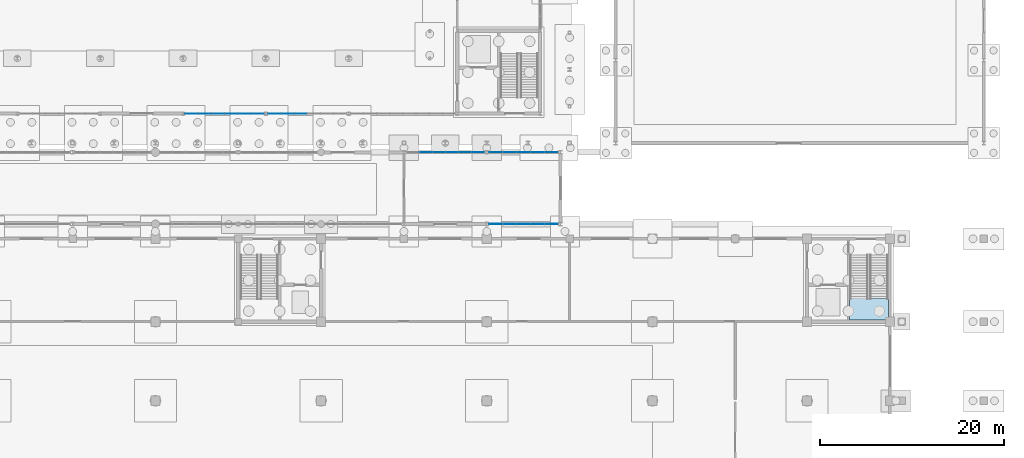
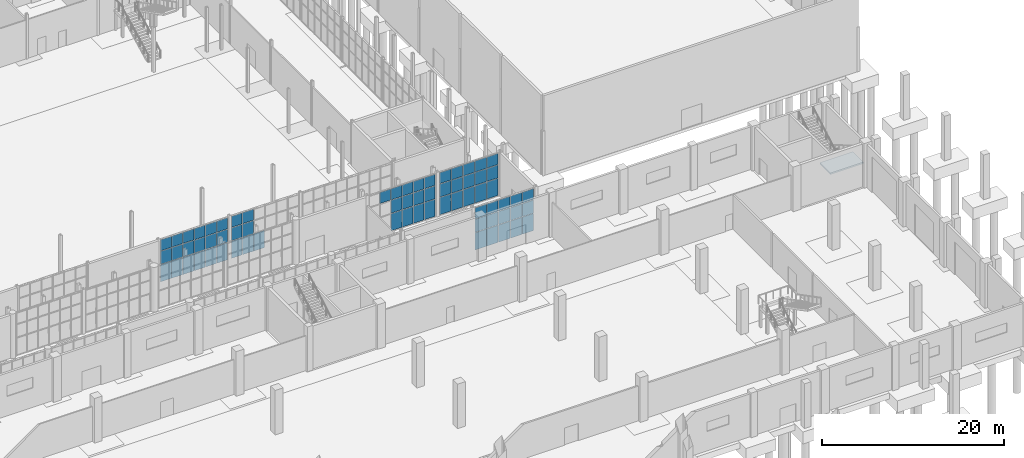
# One storey, part 93 of 131: 68 plates, 1 slab, 6 elements without a shape of their own.
"""IFC4 building model written with IfcOpenShell, lengths in metres."""

from ifc_helpers import new_model, si_unit, direction, frame, origin, origin_2d, place, context, subcontext, project, spatial, polyline, rectangle, outline, extrude, material, layer, layer_set, type_object, element, aggregate, save


model = new_model("IFC4")

# Units and contexts
model_context = context("Model", 3, precision=1e-05, world=origin(), true_north=direction((0.0, 1.0)))
body_context = subcontext(model_context, "Body", "Model", "MODEL_VIEW")
ifc_project = project(units=[si_unit("LENGTHUNIT", "METRE"), si_unit("AREAUNIT", "SQUARE_METRE"), si_unit("VOLUMEUNIT", "CUBIC_METRE"), si_unit("PLANEANGLEUNIT", "RADIAN"), si_unit("MASSUNIT", "GRAM", prefix="KILO")], contexts=[model_context])

# Site, building, storey
site_placement = place(None, origin())
site = spatial("IfcSite", under=ifc_project, at=site_placement, CompositionType="ELEMENT")
building_placement = place(site_placement, origin())
building = spatial("IfcBuilding", under=site, at=building_placement, Name="Cazmaro Siding Exhibition Halls", CompositionType="ELEMENT")
storey_placement = place(building_placement, origin())
storey = spatial("IfcBuildingStorey", under=building, at=storey_placement, Name="L00", CompositionType="ELEMENT", Elevation=0.0)

# Curtain wall, plates
ifc_material_1 = material(Name="Anodized Bronze Aluminum and Solar-Control Low-E Glazing", Category="aluminium")
ifc_layer_1 = layer(ifc_material_1, 0.179931640625)
ifc_layer_set_1 = layer_set([ifc_layer_1], Name="Anodized Bronze Aluminum and Solar-Control Low-E Glazing")
curtain_wall_type = type_object("IfcCurtainWallType", Name="CWS-01", PredefinedType="USERDEFINED", material=ifc_layer_set_1)
curtain_wall_1_placement = place(storey_placement, origin())
curtain_wall_1 = element("IfcCurtainWall", 1, at=curtain_wall_1_placement, inside=storey, type_object=curtain_wall_type, Name="Glazed Curtain Wall CWS-01 CW-035", ObjectType="GLAZED CURTAIN WALL", PredefinedType="USERDEFINED")
ifc_material_2 = material(Name="Solar-Control Low-E Double Insulating Glass", Category="glass")
ifc_layer_2 = layer(ifc_material_2, 0.02392578125)
ifc_layer_set_2 = layer_set([ifc_layer_2], Name="Solar-Control Low-E Double Insulating Glass")
plate_type = type_object("IfcPlateType", Name="CWP-01", PredefinedType="CURTAIN_PANEL", material=ifc_layer_set_2)
plate_1_placement = place(storey_placement, frame((129.92919921875, 67.199951171875, 0.06005859375), z_axis=(0.0, 0.0, 1.0), x_axis=(1.0, 0.0, 0.0)))
plate_1 = element("IfcPlate", 2, at=plate_1_placement, type_object=plate_type, Name="CWS-01 panel 1.1", PredefinedType="CURTAIN_PANEL", context=body_context, shape_type="SweptSolid", body=[
    extrude(rectangle(XDim=1.34423828125, YDim=0.02392578125, at=origin_2d()), origin(), (0.0, 0.0, 1.0), 2.31005859375),
])
plate_2_placement = place(storey_placement, frame((129.92919921875, 67.199951171875, 2.43017578125), z_axis=(0.0, 0.0, 1.0), x_axis=(1.0, 0.0, 0.0)))
plate_2 = element("IfcPlate", 3, at=plate_2_placement, type_object=plate_type, Name="CWS-01 panel 1.2", PredefinedType="CURTAIN_PANEL", context=body_context, shape_type="SweptSolid", body=[
    extrude(rectangle(XDim=1.34423828125, YDim=0.02392578125, at=origin_2d()), origin(), (0.0, 0.0, 1.0), 1.739990234375),
])
plate_3_placement = place(storey_placement, frame((129.92919921875, 67.199951171875, 4.22998046875), z_axis=(0.0, 0.0, 1.0), x_axis=(1.0, 0.0, 0.0)))
plate_3 = element("IfcPlate", 4, at=plate_3_placement, type_object=plate_type, Name="CWS-01 panel 1.3", PredefinedType="CURTAIN_PANEL", context=body_context, shape_type="SweptSolid", body=[
    extrude(rectangle(XDim=1.34423828125, YDim=0.02392578125, at=origin_2d()), origin(), (0.0, 0.0, 1.0), 1.489990234375),
])
plate_4_placement = place(storey_placement, frame((131.348388671875, 67.199951171875, 0.06005859375), z_axis=(0.0, 0.0, 1.0), x_axis=(1.0, 0.0, 0.0)))
plate_4 = element("IfcPlate", 5, at=plate_4_placement, type_object=plate_type, Name="CWS-01 panel 2.1", PredefinedType="CURTAIN_PANEL", context=body_context, shape_type="SweptSolid", body=[
    extrude(rectangle(XDim=1.374267578125, YDim=0.02392578125, at=origin_2d()), origin(), (0.0, 0.0, 1.0), 2.31005859375),
])
plate_5_placement = place(storey_placement, frame((131.348388671875, 67.199951171875, 2.43017578125), z_axis=(0.0, 0.0, 1.0), x_axis=(1.0, 0.0, 0.0)))
plate_5 = element("IfcPlate", 6, at=plate_5_placement, type_object=plate_type, Name="CWS-01 panel 2.2", PredefinedType="CURTAIN_PANEL", context=body_context, shape_type="SweptSolid", body=[
    extrude(rectangle(XDim=1.374267578125, YDim=0.02392578125, at=origin_2d()), origin(), (0.0, 0.0, 1.0), 1.739990234375),
])
plate_6_placement = place(storey_placement, frame((131.348388671875, 67.199951171875, 4.22998046875), z_axis=(0.0, 0.0, 1.0), x_axis=(1.0, 0.0, 0.0)))
plate_6 = element("IfcPlate", 7, at=plate_6_placement, type_object=plate_type, Name="CWS-01 panel 2.3", PredefinedType="CURTAIN_PANEL", context=body_context, shape_type="SweptSolid", body=[
    extrude(rectangle(XDim=1.374267578125, YDim=0.02392578125, at=origin_2d()), origin(), (0.0, 0.0, 1.0), 1.489990234375),
])
plate_7_placement = place(storey_placement, frame((132.78271484375, 67.199951171875, 0.06005859375), z_axis=(0.0, 0.0, 1.0), x_axis=(1.0, 0.0, 0.0)))
plate_7 = element("IfcPlate", 8, at=plate_7_placement, type_object=plate_type, Name="CWS-01 panel 3.1", PredefinedType="CURTAIN_PANEL", context=body_context, shape_type="SweptSolid", body=[
    extrude(rectangle(XDim=1.374267578125, YDim=0.02392578125, at=origin_2d()), origin(), (0.0, 0.0, 1.0), 2.31005859375),
])
plate_8_placement = place(storey_placement, frame((132.78271484375, 67.199951171875, 2.43017578125), z_axis=(0.0, 0.0, 1.0), x_axis=(1.0, 0.0, 0.0)))
plate_8 = element("IfcPlate", 9, at=plate_8_placement, type_object=plate_type, Name="CWS-01 panel 3.2", PredefinedType="CURTAIN_PANEL", context=body_context, shape_type="SweptSolid", body=[
    extrude(rectangle(XDim=1.374267578125, YDim=0.02392578125, at=origin_2d()), origin(), (0.0, 0.0, 1.0), 1.739990234375),
])
plate_9_placement = place(storey_placement, frame((132.78271484375, 67.199951171875, 4.22998046875), z_axis=(0.0, 0.0, 1.0), x_axis=(1.0, 0.0, 0.0)))
plate_9 = element("IfcPlate", 10, at=plate_9_placement, type_object=plate_type, Name="CWS-01 panel 3.3", PredefinedType="CURTAIN_PANEL", context=body_context, shape_type="SweptSolid", body=[
    extrude(rectangle(XDim=1.374267578125, YDim=0.02392578125, at=origin_2d()), origin(), (0.0, 0.0, 1.0), 1.489990234375),
])
plate_10_placement = place(storey_placement, frame((134.21728515625, 67.199951171875, 0.06005859375), z_axis=(0.0, 0.0, 1.0), x_axis=(1.0, 0.0, 0.0)))
plate_10 = element("IfcPlate", 11, at=plate_10_placement, type_object=plate_type, Name="CWS-01 panel 4.1", PredefinedType="CURTAIN_PANEL", context=body_context, shape_type="SweptSolid", body=[
    extrude(rectangle(XDim=1.374267578125, YDim=0.02392578125, at=origin_2d()), origin(), (0.0, 0.0, 1.0), 2.31005859375),
])
plate_11_placement = place(storey_placement, frame((134.21728515625, 67.199951171875, 2.43017578125), z_axis=(0.0, 0.0, 1.0), x_axis=(1.0, 0.0, 0.0)))
plate_11 = element("IfcPlate", 12, at=plate_11_placement, type_object=plate_type, Name="CWS-01 panel 4.2", PredefinedType="CURTAIN_PANEL", context=body_context, shape_type="SweptSolid", body=[
    extrude(rectangle(XDim=1.374267578125, YDim=0.02392578125, at=origin_2d()), origin(), (0.0, 0.0, 1.0), 1.739990234375),
])
plate_12_placement = place(storey_placement, frame((134.21728515625, 67.199951171875, 4.22998046875), z_axis=(0.0, 0.0, 1.0), x_axis=(1.0, 0.0, 0.0)))
plate_12 = element("IfcPlate", 13, at=plate_12_placement, type_object=plate_type, Name="CWS-01 panel 4.3", PredefinedType="CURTAIN_PANEL", context=body_context, shape_type="SweptSolid", body=[
    extrude(rectangle(XDim=1.374267578125, YDim=0.02392578125, at=origin_2d()), origin(), (0.0, 0.0, 1.0), 1.489990234375),
])
plate_13_placement = place(storey_placement, frame((135.651611328125, 67.199951171875, 0.06005859375), z_axis=(0.0, 0.0, 1.0), x_axis=(1.0, 0.0, 0.0)))
plate_13 = element("IfcPlate", 14, at=plate_13_placement, type_object=plate_type, Name="CWS-01 panel 5.1", PredefinedType="CURTAIN_PANEL", context=body_context, shape_type="SweptSolid", body=[
    extrude(rectangle(XDim=1.374267578125, YDim=0.02392578125, at=origin_2d()), origin(), (0.0, 0.0, 1.0), 2.31005859375),
])
plate_14_placement = place(storey_placement, frame((135.651611328125, 67.199951171875, 2.43017578125), z_axis=(0.0, 0.0, 1.0), x_axis=(1.0, 0.0, 0.0)))
plate_14 = element("IfcPlate", 15, at=plate_14_placement, type_object=plate_type, Name="CWS-01 panel 5.2", PredefinedType="CURTAIN_PANEL", context=body_context, shape_type="SweptSolid", body=[
    extrude(rectangle(XDim=1.374267578125, YDim=0.02392578125, at=origin_2d()), origin(), (0.0, 0.0, 1.0), 1.739990234375),
])
plate_15_placement = place(storey_placement, frame((135.651611328125, 67.199951171875, 4.22998046875), z_axis=(0.0, 0.0, 1.0), x_axis=(1.0, 0.0, 0.0)))
plate_15 = element("IfcPlate", 16, at=plate_15_placement, type_object=plate_type, Name="CWS-01 panel 5.3", PredefinedType="CURTAIN_PANEL", context=body_context, shape_type="SweptSolid", body=[
    extrude(rectangle(XDim=1.374267578125, YDim=0.02392578125, at=origin_2d()), origin(), (0.0, 0.0, 1.0), 1.489990234375),
])
plate_16_placement = place(storey_placement, frame((137.07080078125, 67.199951171875, 0.06005859375), z_axis=(0.0, 0.0, 1.0), x_axis=(1.0, 0.0, 0.0)))
plate_16 = element("IfcPlate", 17, at=plate_16_placement, type_object=plate_type, Name="CWS-01 panel 6.1", PredefinedType="CURTAIN_PANEL", context=body_context, shape_type="SweptSolid", body=[
    extrude(rectangle(XDim=1.34423828125, YDim=0.02392578125, at=origin_2d()), origin(), (0.0, 0.0, 1.0), 2.31005859375),
])
plate_17_placement = place(storey_placement, frame((137.07080078125, 67.199951171875, 2.43017578125), z_axis=(0.0, 0.0, 1.0), x_axis=(1.0, 0.0, 0.0)))
plate_17 = element("IfcPlate", 18, at=plate_17_placement, type_object=plate_type, Name="CWS-01 panel 6.2", PredefinedType="CURTAIN_PANEL", context=body_context, shape_type="SweptSolid", body=[
    extrude(rectangle(XDim=1.34423828125, YDim=0.02392578125, at=origin_2d()), origin(), (0.0, 0.0, 1.0), 1.739990234375),
])
plate_18_placement = place(storey_placement, frame((137.07080078125, 67.199951171875, 4.22998046875), z_axis=(0.0, 0.0, 1.0), x_axis=(1.0, 0.0, 0.0)))
plate_18 = element("IfcPlate", 19, at=plate_18_placement, type_object=plate_type, Name="CWS-01 panel 6.3", PredefinedType="CURTAIN_PANEL", context=body_context, shape_type="SweptSolid", body=[
    extrude(rectangle(XDim=1.34423828125, YDim=0.02392578125, at=origin_2d()), origin(), (0.0, 0.0, 1.0), 1.489990234375),
])
aggregate(curtain_wall_1, [plate_1, plate_2, plate_3, plate_4, plate_5, plate_6, plate_7, plate_8, plate_9, plate_10, plate_11, plate_12, plate_13, plate_14, plate_15, plate_16, plate_17, plate_18])

curtain_wall_2_placement = place(storey_placement, origin())
curtain_wall_2 = element("IfcCurtainWall", 20, at=curtain_wall_2_placement, inside=storey, type_object=curtain_wall_type, Name="Glazed Curtain Wall CWS-01 CW-040", ObjectType="GLAZED CURTAIN WALL", PredefinedType="USERDEFINED")
plate_19_placement = place(storey_placement, frame((138.92919921875, 67.199951171875, 0.06005859375), z_axis=(0.0, 0.0, 1.0), x_axis=(1.0, 0.0, 0.0)))
plate_19 = element("IfcPlate", 21, at=plate_19_placement, type_object=plate_type, Name="CWS-01 panel 1.1", PredefinedType="CURTAIN_PANEL", context=body_context, shape_type="SweptSolid", body=[
    extrude(rectangle(XDim=1.34423828125, YDim=0.02392578125, at=origin_2d()), origin(), (0.0, 0.0, 1.0), 2.31005859375),
])
plate_20_placement = place(storey_placement, frame((138.92919921875, 67.199951171875, 2.43017578125), z_axis=(0.0, 0.0, 1.0), x_axis=(1.0, 0.0, 0.0)))
plate_20 = element("IfcPlate", 22, at=plate_20_placement, type_object=plate_type, Name="CWS-01 panel 1.2", PredefinedType="CURTAIN_PANEL", context=body_context, shape_type="SweptSolid", body=[
    extrude(rectangle(XDim=1.34423828125, YDim=0.02392578125, at=origin_2d()), origin(), (0.0, 0.0, 1.0), 1.739990234375),
])
plate_21_placement = place(storey_placement, frame((138.92919921875, 67.199951171875, 4.22998046875), z_axis=(0.0, 0.0, 1.0), x_axis=(1.0, 0.0, 0.0)))
plate_21 = element("IfcPlate", 23, at=plate_21_placement, type_object=plate_type, Name="CWS-01 panel 1.3", PredefinedType="CURTAIN_PANEL", context=body_context, shape_type="SweptSolid", body=[
    extrude(rectangle(XDim=1.34423828125, YDim=0.02392578125, at=origin_2d()), origin(), (0.0, 0.0, 1.0), 1.489990234375),
])
plate_22_placement = place(storey_placement, frame((140.348388671875, 67.199951171875, 0.06005859375), z_axis=(0.0, 0.0, 1.0), x_axis=(1.0, 0.0, 0.0)))
plate_22 = element("IfcPlate", 24, at=plate_22_placement, type_object=plate_type, Name="CWS-01 panel 2.1", PredefinedType="CURTAIN_PANEL", context=body_context, shape_type="SweptSolid", body=[
    extrude(rectangle(XDim=1.374267578125, YDim=0.02392578125, at=origin_2d()), origin(), (0.0, 0.0, 1.0), 2.31005859375),
])
plate_23_placement = place(storey_placement, frame((140.348388671875, 67.199951171875, 2.43017578125), z_axis=(0.0, 0.0, 1.0), x_axis=(1.0, 0.0, 0.0)))
plate_23 = element("IfcPlate", 25, at=plate_23_placement, type_object=plate_type, Name="CWS-01 panel 2.2", PredefinedType="CURTAIN_PANEL", context=body_context, shape_type="SweptSolid", body=[
    extrude(rectangle(XDim=1.374267578125, YDim=0.02392578125, at=origin_2d()), origin(), (0.0, 0.0, 1.0), 1.739990234375),
])
plate_24_placement = place(storey_placement, frame((140.348388671875, 67.199951171875, 4.22998046875), z_axis=(0.0, 0.0, 1.0), x_axis=(1.0, 0.0, 0.0)))
plate_24 = element("IfcPlate", 26, at=plate_24_placement, type_object=plate_type, Name="CWS-01 panel 2.3", PredefinedType="CURTAIN_PANEL", context=body_context, shape_type="SweptSolid", body=[
    extrude(rectangle(XDim=1.374267578125, YDim=0.02392578125, at=origin_2d()), origin(), (0.0, 0.0, 1.0), 1.489990234375),
])
plate_25_placement = place(storey_placement, frame((141.78271484375, 67.199951171875, 0.06005859375), z_axis=(0.0, 0.0, 1.0), x_axis=(1.0, 0.0, 0.0)))
plate_25 = element("IfcPlate", 27, at=plate_25_placement, type_object=plate_type, Name="CWS-01 panel 3.1", PredefinedType="CURTAIN_PANEL", context=body_context, shape_type="SweptSolid", body=[
    extrude(rectangle(XDim=1.374267578125, YDim=0.02392578125, at=origin_2d()), origin(), (0.0, 0.0, 1.0), 2.31005859375),
])
aggregate(curtain_wall_2, [plate_19, plate_20, plate_21, plate_22, plate_23, plate_24, plate_25])

curtain_wall_3_placement = place(storey_placement, origin())
curtain_wall_3 = element("IfcCurtainWall", 28, at=curtain_wall_3_placement, inside=storey, type_object=curtain_wall_type, Name="Glazed Curtain Wall CWS-01 CW-205", ObjectType="GLAZED CURTAIN WALL", PredefinedType="USERDEFINED")
plate_26_placement = place(storey_placement, frame((161.043212890625, 63.0, 0.06005859375), z_axis=(0.0, 0.0, 1.0), x_axis=(-1.0, 0.0, 0.0)))
plate_26 = element("IfcPlate", 29, at=plate_26_placement, type_object=plate_type, Name="CWS-01 panel 1.1", PredefinedType="CURTAIN_PANEL", context=body_context, shape_type="SweptSolid", body=[
    extrude(rectangle(XDim=1.333251953125, YDim=0.02392578125, at=origin_2d()), origin(), (0.0, 0.0, 1.0), 2.31005859375),
])
plate_27_placement = place(storey_placement, frame((161.043212890625, 63.0, 2.43017578125), z_axis=(0.0, 0.0, 1.0), x_axis=(-1.0, 0.0, 0.0)))
plate_27 = element("IfcPlate", 30, at=plate_27_placement, type_object=plate_type, Name="CWS-01 panel 1.2", PredefinedType="CURTAIN_PANEL", context=body_context, shape_type="SweptSolid", body=[
    extrude(rectangle(XDim=1.333251953125, YDim=0.02392578125, at=origin_2d()), origin(), (0.0, 0.0, 1.0), 1.739990234375),
])
plate_28_placement = place(storey_placement, frame((161.043212890625, 63.0, 4.22998046875), z_axis=(0.0, 0.0, 1.0), x_axis=(-1.0, 0.0, 0.0)))
plate_28 = element("IfcPlate", 31, at=plate_28_placement, type_object=plate_type, Name="CWS-01 panel 1.3", PredefinedType="CURTAIN_PANEL", context=body_context, shape_type="SweptSolid", body=[
    extrude(rectangle(XDim=1.333251953125, YDim=0.02392578125, at=origin_2d()), origin(), (0.0, 0.0, 1.0), 1.489990234375),
])
plate_29_placement = place(storey_placement, frame((159.635009765625, 63.0, 0.06005859375), z_axis=(0.0, 0.0, 1.0), x_axis=(-1.0, 0.0, 0.0)))
plate_29 = element("IfcPlate", 32, at=plate_29_placement, type_object=plate_type, Name="CWS-01 panel 2.1", PredefinedType="CURTAIN_PANEL", context=body_context, shape_type="SweptSolid", body=[
    extrude(rectangle(XDim=1.36328125, YDim=0.02392578125, at=origin_2d()), origin(), (0.0, 0.0, 1.0), 2.31005859375),
])
plate_30_placement = place(storey_placement, frame((159.635009765625, 63.0, 2.43017578125), z_axis=(0.0, 0.0, 1.0), x_axis=(-1.0, 0.0, 0.0)))
plate_30 = element("IfcPlate", 33, at=plate_30_placement, type_object=plate_type, Name="CWS-01 panel 2.2", PredefinedType="CURTAIN_PANEL", context=body_context, shape_type="SweptSolid", body=[
    extrude(rectangle(XDim=1.36328125, YDim=0.02392578125, at=origin_2d()), origin(), (0.0, 0.0, 1.0), 1.739990234375),
])
plate_31_placement = place(storey_placement, frame((159.635009765625, 63.0, 4.22998046875), z_axis=(0.0, 0.0, 1.0), x_axis=(-1.0, 0.0, 0.0)))
plate_31 = element("IfcPlate", 34, at=plate_31_placement, type_object=plate_type, Name="CWS-01 panel 2.3", PredefinedType="CURTAIN_PANEL", context=body_context, shape_type="SweptSolid", body=[
    extrude(rectangle(XDim=1.36328125, YDim=0.02392578125, at=origin_2d()), origin(), (0.0, 0.0, 1.0), 1.489990234375),
])
plate_32_placement = place(storey_placement, frame((158.211669921875, 63.0, 0.06005859375), z_axis=(0.0, 0.0, 1.0), x_axis=(-1.0, 0.0, 0.0)))
plate_32 = element("IfcPlate", 35, at=plate_32_placement, type_object=plate_type, Name="CWS-01 panel 3.1", PredefinedType="CURTAIN_PANEL", context=body_context, shape_type="SweptSolid", body=[
    extrude(rectangle(XDim=1.36328125, YDim=0.02392578125, at=origin_2d()), origin(), (0.0, 0.0, 1.0), 2.31005859375),
])
plate_33_placement = place(storey_placement, frame((158.211669921875, 63.0, 2.43017578125), z_axis=(0.0, 0.0, 1.0), x_axis=(-1.0, 0.0, 0.0)))
plate_33 = element("IfcPlate", 36, at=plate_33_placement, type_object=plate_type, Name="CWS-01 panel 3.2", PredefinedType="CURTAIN_PANEL", context=body_context, shape_type="SweptSolid", body=[
    extrude(rectangle(XDim=1.36328125, YDim=0.02392578125, at=origin_2d()), origin(), (0.0, 0.0, 1.0), 1.739990234375),
])
plate_34_placement = place(storey_placement, frame((158.211669921875, 63.0, 4.22998046875), z_axis=(0.0, 0.0, 1.0), x_axis=(-1.0, 0.0, 0.0)))
plate_34 = element("IfcPlate", 37, at=plate_34_placement, type_object=plate_type, Name="CWS-01 panel 3.3", PredefinedType="CURTAIN_PANEL", context=body_context, shape_type="SweptSolid", body=[
    extrude(rectangle(XDim=1.36328125, YDim=0.02392578125, at=origin_2d()), origin(), (0.0, 0.0, 1.0), 1.489990234375),
])
plate_35_placement = place(storey_placement, frame((156.788330078125, 63.0, 0.06005859375), z_axis=(0.0, 0.0, 1.0), x_axis=(-1.0, 0.0, 0.0)))
plate_35 = element("IfcPlate", 38, at=plate_35_placement, type_object=plate_type, Name="CWS-01 panel 4.1", PredefinedType="CURTAIN_PANEL", context=body_context, shape_type="SweptSolid", body=[
    extrude(rectangle(XDim=1.36328125, YDim=0.02392578125, at=origin_2d()), origin(), (0.0, 0.0, 1.0), 2.31005859375),
])
plate_36_placement = place(storey_placement, frame((156.788330078125, 63.0, 2.43017578125), z_axis=(0.0, 0.0, 1.0), x_axis=(-1.0, 0.0, 0.0)))
plate_36 = element("IfcPlate", 39, at=plate_36_placement, type_object=plate_type, Name="CWS-01 panel 4.2", PredefinedType="CURTAIN_PANEL", context=body_context, shape_type="SweptSolid", body=[
    extrude(rectangle(XDim=1.36328125, YDim=0.02392578125, at=origin_2d()), origin(), (0.0, 0.0, 1.0), 1.739990234375),
])
plate_37_placement = place(storey_placement, frame((156.788330078125, 63.0, 4.22998046875), z_axis=(0.0, 0.0, 1.0), x_axis=(-1.0, 0.0, 0.0)))
plate_37 = element("IfcPlate", 40, at=plate_37_placement, type_object=plate_type, Name="CWS-01 panel 4.3", PredefinedType="CURTAIN_PANEL", context=body_context, shape_type="SweptSolid", body=[
    extrude(rectangle(XDim=1.36328125, YDim=0.02392578125, at=origin_2d()), origin(), (0.0, 0.0, 1.0), 1.489990234375),
])
plate_38_placement = place(storey_placement, frame((155.364990234375, 63.0, 4.22998046875), z_axis=(0.0, 0.0, 1.0), x_axis=(-1.0, 0.0, 0.0)))
plate_38 = element("IfcPlate", 41, at=plate_38_placement, type_object=plate_type, Name="CWS-01 panel 5.3", PredefinedType="CURTAIN_PANEL", context=body_context, shape_type="SweptSolid", body=[
    extrude(rectangle(XDim=1.36328125, YDim=0.02392578125, at=origin_2d()), origin(), (0.0, 0.0, 1.0), 1.489990234375),
])
aggregate(curtain_wall_3, [plate_26, plate_27, plate_28, plate_29, plate_30, plate_31, plate_32, plate_33, plate_34, plate_35, plate_36, plate_37, plate_38])

curtain_wall_4_placement = place(storey_placement, origin())
curtain_wall_4 = element("IfcCurtainWall", 42, at=curtain_wall_4_placement, inside=storey, type_object=curtain_wall_type, Name="Glazed Curtain Wall CWS-01 CW-206", ObjectType="GLAZED CURTAIN WALL", PredefinedType="USERDEFINED")
plate_39_placement = place(storey_placement, frame((162.9990234375, 55.199951171875, 0.06005859375), z_axis=(0.0, 0.0, 1.0), x_axis=(1.0, 0.0, 0.0)))
plate_39 = element("IfcPlate", 43, at=plate_39_placement, type_object=plate_type, Name="CWS-01 panel 1.1", PredefinedType="CURTAIN_PANEL", context=body_context, shape_type="SweptSolid", body=[
    extrude(rectangle(XDim=1.41796875, YDim=0.02392578125, at=origin_2d()), origin(), (0.0, 0.0, 1.0), 2.31005859375),
])
plate_40_placement = place(storey_placement, frame((162.9990234375, 55.199951171875, 2.43017578125), z_axis=(0.0, 0.0, 1.0), x_axis=(1.0, 0.0, 0.0)))
plate_40 = element("IfcPlate", 44, at=plate_40_placement, type_object=plate_type, Name="CWS-01 panel 1.2", PredefinedType="CURTAIN_PANEL", context=body_context, shape_type="SweptSolid", body=[
    extrude(rectangle(XDim=1.41796875, YDim=0.02392578125, at=origin_2d()), origin(), (0.0, 0.0, 1.0), 1.739990234375),
])
plate_41_placement = place(storey_placement, frame((162.9990234375, 55.199951171875, 4.22998046875), z_axis=(0.0, 0.0, 1.0), x_axis=(1.0, 0.0, 0.0)))
plate_41 = element("IfcPlate", 45, at=plate_41_placement, type_object=plate_type, Name="CWS-01 panel 1.3", PredefinedType="CURTAIN_PANEL", context=body_context, shape_type="SweptSolid", body=[
    extrude(rectangle(XDim=1.41796875, YDim=0.02392578125, at=origin_2d()), origin(), (0.0, 0.0, 1.0), 1.489990234375),
])
plate_42_placement = place(storey_placement, frame((164.491943359375, 55.199951171875, 0.06005859375), z_axis=(0.0, 0.0, 1.0), x_axis=(1.0, 0.0, 0.0)))
plate_42 = element("IfcPlate", 46, at=plate_42_placement, type_object=plate_type, Name="CWS-01 panel 2.1", PredefinedType="CURTAIN_PANEL", context=body_context, shape_type="SweptSolid", body=[
    extrude(rectangle(XDim=1.447998046875, YDim=0.02392578125, at=origin_2d()), origin(), (0.0, 0.0, 1.0), 2.31005859375),
])
plate_43_placement = place(storey_placement, frame((164.491943359375, 55.199951171875, 2.43017578125), z_axis=(0.0, 0.0, 1.0), x_axis=(1.0, 0.0, 0.0)))
plate_43 = element("IfcPlate", 47, at=plate_43_placement, type_object=plate_type, Name="CWS-01 panel 2.2", PredefinedType="CURTAIN_PANEL", context=body_context, shape_type="SweptSolid", body=[
    extrude(rectangle(XDim=1.447998046875, YDim=0.02392578125, at=origin_2d()), origin(), (0.0, 0.0, 1.0), 1.739990234375),
])
plate_44_placement = place(storey_placement, frame((164.491943359375, 55.199951171875, 4.22998046875), z_axis=(0.0, 0.0, 1.0), x_axis=(1.0, 0.0, 0.0)))
plate_44 = element("IfcPlate", 48, at=plate_44_placement, type_object=plate_type, Name="CWS-01 panel 2.3", PredefinedType="CURTAIN_PANEL", context=body_context, shape_type="SweptSolid", body=[
    extrude(rectangle(XDim=1.447998046875, YDim=0.02392578125, at=origin_2d()), origin(), (0.0, 0.0, 1.0), 1.489990234375),
])
plate_45_placement = place(storey_placement, frame((166.0, 55.199951171875, 0.06005859375), z_axis=(0.0, 0.0, 1.0), x_axis=(1.0, 0.0, 0.0)))
plate_45 = element("IfcPlate", 49, at=plate_45_placement, type_object=plate_type, Name="CWS-01 panel 3.1", PredefinedType="CURTAIN_PANEL", context=body_context, shape_type="SweptSolid", body=[
    extrude(rectangle(XDim=1.447998046875, YDim=0.02392578125, at=origin_2d()), origin(), (0.0, 0.0, 1.0), 2.31005859375),
])
plate_46_placement = place(storey_placement, frame((166.0, 55.199951171875, 2.43017578125), z_axis=(0.0, 0.0, 1.0), x_axis=(1.0, 0.0, 0.0)))
plate_46 = element("IfcPlate", 50, at=plate_46_placement, type_object=plate_type, Name="CWS-01 panel 3.2", PredefinedType="CURTAIN_PANEL", context=body_context, shape_type="SweptSolid", body=[
    extrude(rectangle(XDim=1.447998046875, YDim=0.02392578125, at=origin_2d()), origin(), (0.0, 0.0, 1.0), 1.739990234375),
])
plate_47_placement = place(storey_placement, frame((166.0, 55.199951171875, 4.22998046875), z_axis=(0.0, 0.0, 1.0), x_axis=(1.0, 0.0, 0.0)))
plate_47 = element("IfcPlate", 51, at=plate_47_placement, type_object=plate_type, Name="CWS-01 panel 3.3", PredefinedType="CURTAIN_PANEL", context=body_context, shape_type="SweptSolid", body=[
    extrude(rectangle(XDim=1.447998046875, YDim=0.02392578125, at=origin_2d()), origin(), (0.0, 0.0, 1.0), 1.489990234375),
])
plate_48_placement = place(storey_placement, frame((167.508056640625, 55.199951171875, 0.06005859375), z_axis=(0.0, 0.0, 1.0), x_axis=(1.0, 0.0, 0.0)))
plate_48 = element("IfcPlate", 52, at=plate_48_placement, type_object=plate_type, Name="CWS-01 panel 4.1", PredefinedType="CURTAIN_PANEL", context=body_context, shape_type="SweptSolid", body=[
    extrude(rectangle(XDim=1.447998046875, YDim=0.02392578125, at=origin_2d()), origin(), (0.0, 0.0, 1.0), 2.31005859375),
])
plate_49_placement = place(storey_placement, frame((167.508056640625, 55.199951171875, 2.43017578125), z_axis=(0.0, 0.0, 1.0), x_axis=(1.0, 0.0, 0.0)))
plate_49 = element("IfcPlate", 53, at=plate_49_placement, type_object=plate_type, Name="CWS-01 panel 4.2", PredefinedType="CURTAIN_PANEL", context=body_context, shape_type="SweptSolid", body=[
    extrude(rectangle(XDim=1.447998046875, YDim=0.02392578125, at=origin_2d()), origin(), (0.0, 0.0, 1.0), 1.739990234375),
])
plate_50_placement = place(storey_placement, frame((167.508056640625, 55.199951171875, 4.22998046875), z_axis=(0.0, 0.0, 1.0), x_axis=(1.0, 0.0, 0.0)))
plate_50 = element("IfcPlate", 54, at=plate_50_placement, type_object=plate_type, Name="CWS-01 panel 4.3", PredefinedType="CURTAIN_PANEL", context=body_context, shape_type="SweptSolid", body=[
    extrude(rectangle(XDim=1.447998046875, YDim=0.02392578125, at=origin_2d()), origin(), (0.0, 0.0, 1.0), 1.489990234375),
])
plate_51_placement = place(storey_placement, frame((169.0009765625, 55.199951171875, 0.06005859375), z_axis=(0.0, 0.0, 1.0), x_axis=(1.0, 0.0, 0.0)))
plate_51 = element("IfcPlate", 55, at=plate_51_placement, type_object=plate_type, Name="CWS-01 panel 5.1", PredefinedType="CURTAIN_PANEL", context=body_context, shape_type="SweptSolid", body=[
    extrude(rectangle(XDim=1.41796875, YDim=0.02392578125, at=origin_2d()), origin(), (0.0, 0.0, 1.0), 2.31005859375),
])
plate_52_placement = place(storey_placement, frame((169.0009765625, 55.199951171875, 2.43017578125), z_axis=(0.0, 0.0, 1.0), x_axis=(1.0, 0.0, 0.0)))
plate_52 = element("IfcPlate", 56, at=plate_52_placement, type_object=plate_type, Name="CWS-01 panel 5.2", PredefinedType="CURTAIN_PANEL", context=body_context, shape_type="SweptSolid", body=[
    extrude(rectangle(XDim=1.41796875, YDim=0.02392578125, at=origin_2d()), origin(), (0.0, 0.0, 1.0), 1.739990234375),
])
plate_53_placement = place(storey_placement, frame((169.0009765625, 55.199951171875, 4.22998046875), z_axis=(0.0, 0.0, 1.0), x_axis=(1.0, 0.0, 0.0)))
plate_53 = element("IfcPlate", 57, at=plate_53_placement, type_object=plate_type, Name="CWS-01 panel 5.3", PredefinedType="CURTAIN_PANEL", context=body_context, shape_type="SweptSolid", body=[
    extrude(rectangle(XDim=1.41796875, YDim=0.02392578125, at=origin_2d()), origin(), (0.0, 0.0, 1.0), 1.489990234375),
])
aggregate(curtain_wall_4, [plate_39, plate_40, plate_41, plate_42, plate_43, plate_44, plate_45, plate_46, plate_47, plate_48, plate_49, plate_50, plate_51, plate_52, plate_53])

curtain_wall_5_placement = place(storey_placement, origin())
curtain_wall_5 = element("IfcCurtainWall", 58, at=curtain_wall_5_placement, inside=storey, type_object=curtain_wall_type, Name="Glazed Curtain Wall CWS-01 CW-207", ObjectType="GLAZED CURTAIN WALL", PredefinedType="USERDEFINED")
plate_54_placement = place(storey_placement, frame((169.0009765625, 63.0, 0.06005859375), z_axis=(0.0, 0.0, 1.0), x_axis=(-1.0, 0.0, 0.0)))
plate_54 = element("IfcPlate", 59, at=plate_54_placement, type_object=plate_type, Name="CWS-01 panel 1.1", PredefinedType="CURTAIN_PANEL", context=body_context, shape_type="SweptSolid", body=[
    extrude(rectangle(XDim=1.41796875, YDim=0.02392578125, at=origin_2d()), origin(), (0.0, 0.0, 1.0), 2.31005859375),
])
plate_55_placement = place(storey_placement, frame((169.0009765625, 63.0, 2.43017578125), z_axis=(0.0, 0.0, 1.0), x_axis=(-1.0, 0.0, 0.0)))
plate_55 = element("IfcPlate", 60, at=plate_55_placement, type_object=plate_type, Name="CWS-01 panel 1.2", PredefinedType="CURTAIN_PANEL", context=body_context, shape_type="SweptSolid", body=[
    extrude(rectangle(XDim=1.41796875, YDim=0.02392578125, at=origin_2d()), origin(), (0.0, 0.0, 1.0), 1.739990234375),
])
plate_56_placement = place(storey_placement, frame((169.0009765625, 63.0, 4.22998046875), z_axis=(0.0, 0.0, 1.0), x_axis=(-1.0, 0.0, 0.0)))
plate_56 = element("IfcPlate", 61, at=plate_56_placement, type_object=plate_type, Name="CWS-01 panel 1.3", PredefinedType="CURTAIN_PANEL", context=body_context, shape_type="SweptSolid", body=[
    extrude(rectangle(XDim=1.41796875, YDim=0.02392578125, at=origin_2d()), origin(), (0.0, 0.0, 1.0), 1.489990234375),
])
plate_57_placement = place(storey_placement, frame((167.508056640625, 63.0, 0.06005859375), z_axis=(0.0, 0.0, 1.0), x_axis=(-1.0, 0.0, 0.0)))
plate_57 = element("IfcPlate", 62, at=plate_57_placement, type_object=plate_type, Name="CWS-01 panel 2.1", PredefinedType="CURTAIN_PANEL", context=body_context, shape_type="SweptSolid", body=[
    extrude(rectangle(XDim=1.447998046875, YDim=0.02392578125, at=origin_2d()), origin(), (0.0, 0.0, 1.0), 2.31005859375),
])
plate_58_placement = place(storey_placement, frame((167.508056640625, 63.0, 2.43017578125), z_axis=(0.0, 0.0, 1.0), x_axis=(-1.0, 0.0, 0.0)))
plate_58 = element("IfcPlate", 63, at=plate_58_placement, type_object=plate_type, Name="CWS-01 panel 2.2", PredefinedType="CURTAIN_PANEL", context=body_context, shape_type="SweptSolid", body=[
    extrude(rectangle(XDim=1.447998046875, YDim=0.02392578125, at=origin_2d()), origin(), (0.0, 0.0, 1.0), 1.739990234375),
])
plate_59_placement = place(storey_placement, frame((167.508056640625, 63.0, 4.22998046875), z_axis=(0.0, 0.0, 1.0), x_axis=(-1.0, 0.0, 0.0)))
plate_59 = element("IfcPlate", 64, at=plate_59_placement, type_object=plate_type, Name="CWS-01 panel 2.3", PredefinedType="CURTAIN_PANEL", context=body_context, shape_type="SweptSolid", body=[
    extrude(rectangle(XDim=1.447998046875, YDim=0.02392578125, at=origin_2d()), origin(), (0.0, 0.0, 1.0), 1.489990234375),
])
plate_60_placement = place(storey_placement, frame((166.0, 63.0, 0.06005859375), z_axis=(0.0, 0.0, 1.0), x_axis=(-1.0, 0.0, 0.0)))
plate_60 = element("IfcPlate", 65, at=plate_60_placement, type_object=plate_type, Name="CWS-01 panel 3.1", PredefinedType="CURTAIN_PANEL", context=body_context, shape_type="SweptSolid", body=[
    extrude(rectangle(XDim=1.447998046875, YDim=0.02392578125, at=origin_2d()), origin(), (0.0, 0.0, 1.0), 2.31005859375),
])
plate_61_placement = place(storey_placement, frame((166.0, 63.0, 2.43017578125), z_axis=(0.0, 0.0, 1.0), x_axis=(-1.0, 0.0, 0.0)))
plate_61 = element("IfcPlate", 66, at=plate_61_placement, type_object=plate_type, Name="CWS-01 panel 3.2", PredefinedType="CURTAIN_PANEL", context=body_context, shape_type="SweptSolid", body=[
    extrude(rectangle(XDim=1.447998046875, YDim=0.02392578125, at=origin_2d()), origin(), (0.0, 0.0, 1.0), 1.739990234375),
])
plate_62_placement = place(storey_placement, frame((166.0, 63.0, 4.22998046875), z_axis=(0.0, 0.0, 1.0), x_axis=(-1.0, 0.0, 0.0)))
plate_62 = element("IfcPlate", 67, at=plate_62_placement, type_object=plate_type, Name="CWS-01 panel 3.3", PredefinedType="CURTAIN_PANEL", context=body_context, shape_type="SweptSolid", body=[
    extrude(rectangle(XDim=1.447998046875, YDim=0.02392578125, at=origin_2d()), origin(), (0.0, 0.0, 1.0), 1.489990234375),
])
plate_63_placement = place(storey_placement, frame((164.491943359375, 63.0, 0.06005859375), z_axis=(0.0, 0.0, 1.0), x_axis=(-1.0, 0.0, 0.0)))
plate_63 = element("IfcPlate", 68, at=plate_63_placement, type_object=plate_type, Name="CWS-01 panel 4.1", PredefinedType="CURTAIN_PANEL", context=body_context, shape_type="SweptSolid", body=[
    extrude(rectangle(XDim=1.447998046875, YDim=0.02392578125, at=origin_2d()), origin(), (0.0, 0.0, 1.0), 2.31005859375),
])
plate_64_placement = place(storey_placement, frame((164.491943359375, 63.0, 2.43017578125), z_axis=(0.0, 0.0, 1.0), x_axis=(-1.0, 0.0, 0.0)))
plate_64 = element("IfcPlate", 69, at=plate_64_placement, type_object=plate_type, Name="CWS-01 panel 4.2", PredefinedType="CURTAIN_PANEL", context=body_context, shape_type="SweptSolid", body=[
    extrude(rectangle(XDim=1.447998046875, YDim=0.02392578125, at=origin_2d()), origin(), (0.0, 0.0, 1.0), 1.739990234375),
])
plate_65_placement = place(storey_placement, frame((164.491943359375, 63.0, 4.22998046875), z_axis=(0.0, 0.0, 1.0), x_axis=(-1.0, 0.0, 0.0)))
plate_65 = element("IfcPlate", 70, at=plate_65_placement, type_object=plate_type, Name="CWS-01 panel 4.3", PredefinedType="CURTAIN_PANEL", context=body_context, shape_type="SweptSolid", body=[
    extrude(rectangle(XDim=1.447998046875, YDim=0.02392578125, at=origin_2d()), origin(), (0.0, 0.0, 1.0), 1.489990234375),
])
plate_66_placement = place(storey_placement, frame((162.9990234375, 63.0, 0.06005859375), z_axis=(0.0, 0.0, 1.0), x_axis=(-1.0, 0.0, 0.0)))
plate_66 = element("IfcPlate", 71, at=plate_66_placement, type_object=plate_type, Name="CWS-01 panel 5.1", PredefinedType="CURTAIN_PANEL", context=body_context, shape_type="SweptSolid", body=[
    extrude(rectangle(XDim=1.41796875, YDim=0.02392578125, at=origin_2d()), origin(), (0.0, 0.0, 1.0), 2.31005859375),
])
plate_67_placement = place(storey_placement, frame((162.9990234375, 63.0, 2.43017578125), z_axis=(0.0, 0.0, 1.0), x_axis=(-1.0, 0.0, 0.0)))
plate_67 = element("IfcPlate", 72, at=plate_67_placement, type_object=plate_type, Name="CWS-01 panel 5.2", PredefinedType="CURTAIN_PANEL", context=body_context, shape_type="SweptSolid", body=[
    extrude(rectangle(XDim=1.41796875, YDim=0.02392578125, at=origin_2d()), origin(), (0.0, 0.0, 1.0), 1.739990234375),
])
plate_68_placement = place(storey_placement, frame((162.9990234375, 63.0, 4.22998046875), z_axis=(0.0, 0.0, 1.0), x_axis=(-1.0, 0.0, 0.0)))
plate_68 = element("IfcPlate", 73, at=plate_68_placement, type_object=plate_type, Name="CWS-01 panel 5.3", PredefinedType="CURTAIN_PANEL", context=body_context, shape_type="SweptSolid", body=[
    extrude(rectangle(XDim=1.41796875, YDim=0.02392578125, at=origin_2d()), origin(), (0.0, 0.0, 1.0), 1.489990234375),
])
aggregate(curtain_wall_5, [plate_54, plate_55, plate_56, plate_57, plate_58, plate_59, plate_60, plate_61, plate_62, plate_63, plate_64, plate_65, plate_66, plate_67, plate_68])

# Stair, slab
ifc_material_3 = material(Name="Concrete f'c 40 MPa", Category="concrete")
stair_type = type_object("IfcStairType", Name="STT-09", PredefinedType="TWO_STRAIGHT_RUN_STAIR", material=ifc_material_3)
stair_placement = place(storey_placement, origin())
stair = element("IfcStair", 74, at=stair_placement, inside=storey, type_object=stair_type, Name="Core C5 Exit Stair L00-L01 ST-09", PredefinedType="TWO_STRAIGHT_RUN_STAIR")
ifc_material_4 = material(Name="Concrete f'c 40 MPa", Category="concrete")
ifc_layer_3 = layer(ifc_material_4, 0.199951171875)
ifc_layer_set_3 = layer_set([ifc_layer_3], Name="Concrete f'c 40 MPa")
slab_type = type_object("IfcSlabType", Name="LND-09", PredefinedType="LANDING", material=ifc_layer_set_3)
slab_placement = place(storey_placement, frame((0.0, 0.0, 2.800048828125)))
slab = element("IfcSlab", 75, at=slab_placement, type_object=slab_type, Name="ST-09 landing 1", PredefinedType="LANDING", context=body_context, shape_type="SweptSolid", body=[
    extrude(outline(polyline([(201.419921875, 44.77490234375), (205.625, 44.77490234375), (205.625, 47.10009765625), (201.419921875, 47.10009765625), (201.419921875, 44.77490234375)])), origin(), (0.0, 0.0, 1.0), 0.199951171875),
])
aggregate(stair, [slab])

save(model, "model.ifc")
